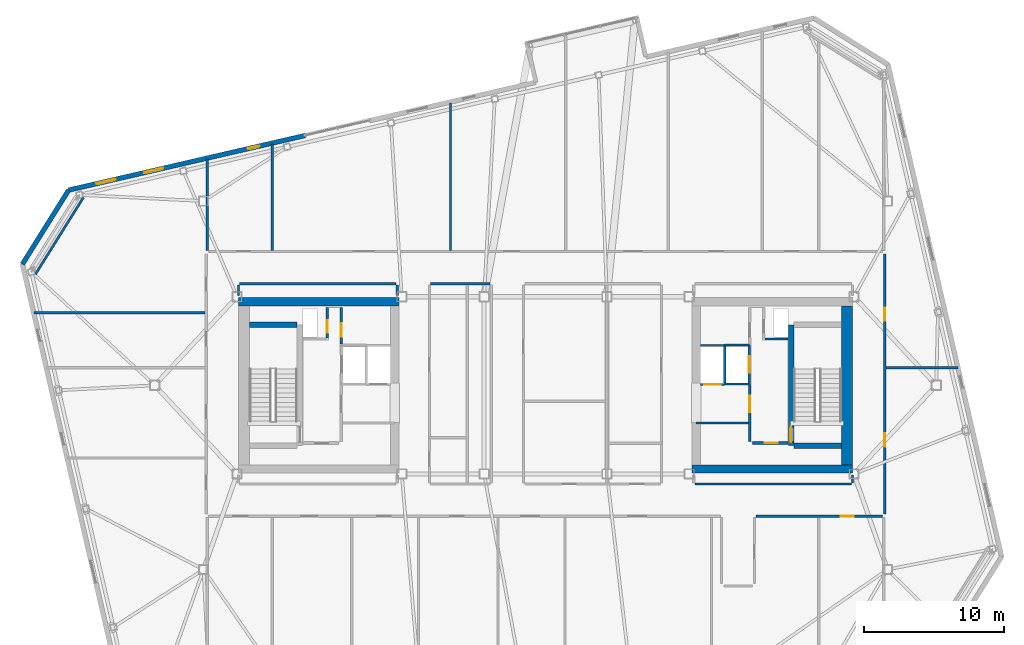
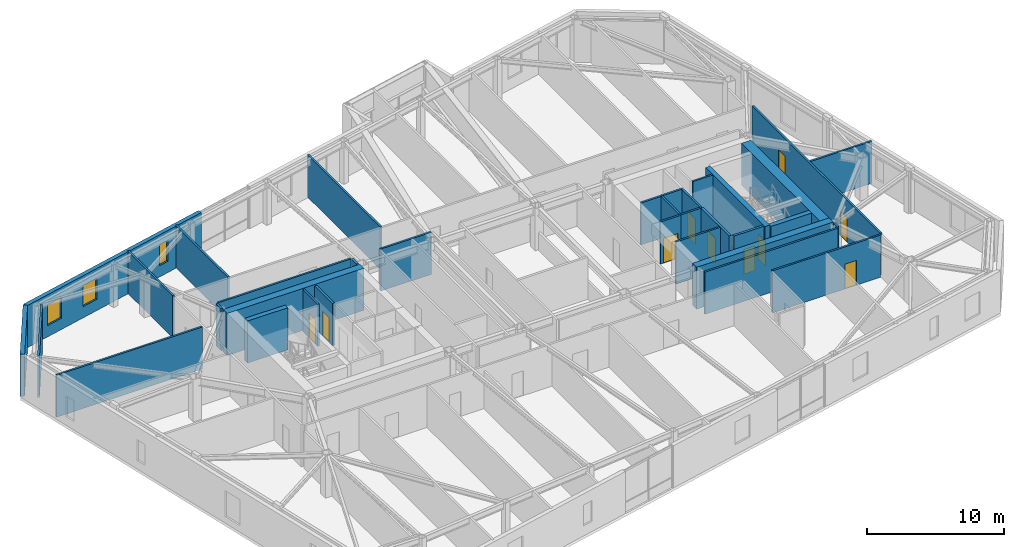
# One storey, part 19 of 24: 34 walls, 10 doors, 3 windows, 13 openings.
"""IFC4 building model written with IfcOpenShell, lengths in metres."""

from ifc_helpers import new_model, si_unit, direction, frame, frame_2d, origin, place, context, subcontext, project, spatial, rectangle, extrude, material, layer, layer_set, type_object, element, fill, save


model = new_model("IFC4")

# Units and contexts
model_context = context("Model", 3, precision=1e-05, world=origin(), true_north=direction((0.0, 1.0)))
body_context = subcontext(model_context, "Body", "Model", "MODEL_VIEW")
ifc_project = project(units=[si_unit("LENGTHUNIT", "METRE"), si_unit("AREAUNIT", "SQUARE_METRE"), si_unit("VOLUMEUNIT", "CUBIC_METRE"), si_unit("PLANEANGLEUNIT", "RADIAN"), si_unit("MASSUNIT", "GRAM", prefix="KILO")], contexts=[model_context])

# Site, building, storey
site_placement = place(None, origin())
site = spatial("IfcSite", under=ifc_project, at=site_placement, CompositionType="ELEMENT")
building_placement = place(site_placement, origin())
building = spatial("IfcBuilding", under=site, at=building_placement, Name="Tavrogorsk Clinical Tower", CompositionType="ELEMENT")
storey_placement = place(building_placement, frame((0.0, 0.0, 309.0)))
storey = spatial("IfcBuildingStorey", under=building, at=storey_placement, Name="L72", CompositionType="ELEMENT", Elevation=309.0)

# Wall, opening, door
ifc_material_1 = material(Name="Concrete B60", Category="concrete")
ifc_layer_1 = layer(ifc_material_1, 0.199951171875)
ifc_layer_set_1 = layer_set([ifc_layer_1], Name="Concrete B60")
wall_type_1 = type_object("IfcWallType", Name="CoreFireWall_200", PredefinedType="SOLIDWALL", material=ifc_layer_set_1)
wall_1_placement = place(storey_placement, frame((-14.639892578125, 2.9599609375, 0.0), z_axis=(0.0, 0.0, 1.0), x_axis=(0.0, 1.0, 0.0)))
wall_1 = element("IfcWall", 1, at=wall_1_placement, inside=storey, type_object=wall_type_1, Name="L72 Core West North Core Room East Wall", PredefinedType="SOLIDWALL", context=body_context, shape_type="SweptSolid", body=[
    extrude(rectangle(XDim=2.60009765625, YDim=0.199951171875, at=frame_2d((1.300048828125, 0.0))), origin(), (0.0, 0.0, 1.0), 3.739990234375),
])
opening_1_placement = place(wall_1_placement, frame((0.52001953125, 0.0, 0.0)))
opening_1 = element("IfcOpeningElement", 2, at=opening_1_placement, cuts=wall_1, Name="Opening ID-02", PredefinedType="OPENING", context=body_context, shape_type="SweptSolid", body=[
    extrude(rectangle(XDim=0.949951171875, YDim=2.199951171875, at=frame_2d((0.47509765625, 1.10009765625))), frame((0.0, 0.10986328125, 0.0), z_axis=(0.0, -1.0, 0.0), x_axis=(1.0, 0.0, 0.0)), (0.0, 0.0, 1.0), 0.219970703125),
])
ifc_material_2 = material(Name="Laminated timber leaf on aluminium frame", Category="wood")
door_type_1 = type_object("IfcDoorType", Name="InteriorDoor_ID02_950", OperationType="NOTDEFINED", PredefinedType="DOOR", material=ifc_material_2)
door_1_placement = place(opening_1_placement, origin())
door_1 = element("IfcDoor", 3, at=door_1_placement, inside=storey, type_object=door_type_1, Name="L72 Core West Core Telemetry Room Door", OperationType="SINGLE_SWING_LEFT", OverallHeight=2.199951171875, OverallWidth=0.949951171875, PredefinedType="DOOR", context=body_context, shape_type="SweptSolid", body=[
    extrude(rectangle(XDim=0.949951171875, YDim=2.199951171875, at=frame_2d((0.47509765625, 1.10009765625))), frame((0.0, 0.02490234375, 0.0), z_axis=(0.0, -1.0, 0.0), x_axis=(1.0, 0.0, 0.0)), (0.0, 0.0, 1.0), 0.050048828125),
])
fill(opening_1, door_1)

wall_2_placement = place(storey_placement, frame((14.824951171875, -4.139892578125, 0.0), z_axis=(0.0, 0.0, 1.0), x_axis=(1.0, 0.0, 0.0)))
wall_2 = element("IfcWall", 4, at=wall_2_placement, inside=storey, type_object=wall_type_1, Name="L72 Core East South Core Room Fire Wall", PredefinedType="SOLIDWALL", context=body_context, shape_type="SweptSolid", body=[
    extrude(rectangle(XDim=2.554931640625, YDim=0.199951171875, at=frame_2d((1.27734375, 0.0))), origin(), (0.0, 0.0, 1.0), 3.739990234375),
])
opening_2_placement = place(wall_2_placement, frame((0.8798828125, 0.0, 0.0)))
opening_2 = element("IfcOpeningElement", 5, at=opening_2_placement, cuts=wall_2, Name="Opening ID-02", PredefinedType="OPENING", context=body_context, shape_type="SweptSolid", body=[
    extrude(rectangle(XDim=0.949951171875, YDim=2.199951171875, at=frame_2d((0.47509765625, 1.10009765625))), frame((0.0, 0.10986328125, 0.0), z_axis=(0.0, -1.0, 0.0), x_axis=(1.0, 0.0, 0.0)), (0.0, 0.0, 1.0), 0.219970703125),
])
door_2_placement = place(opening_2_placement, origin())
door_2 = element("IfcDoor", 6, at=door_2_placement, inside=storey, type_object=door_type_1, Name="L72 Core East South Core Room Door", OperationType="SINGLE_SWING_RIGHT", OverallHeight=2.199951171875, OverallWidth=0.949951171875, PredefinedType="DOOR", context=body_context, shape_type="SweptSolid", body=[
    extrude(rectangle(XDim=0.949951171875, YDim=2.199951171875, at=frame_2d((0.47509765625, 1.10009765625))), frame((0.0, 0.02490234375, 0.0), z_axis=(0.0, -1.0, 0.0), x_axis=(1.0, 0.0, 0.0)), (0.0, 0.0, 1.0), 0.050048828125),
])
fill(opening_2, door_2)

wall_3_placement = place(storey_placement, frame((14.639892578125, -4.034912109375, 0.0), z_axis=(0.0, 0.0, 1.0), x_axis=(0.0, 1.0, 0.0)))
wall_3 = element("IfcWall", 7, at=wall_3_placement, inside=storey, type_object=wall_type_1, Name="L72 Core East Firefighting Lobby Fire Wall", PredefinedType="SOLIDWALL", context=body_context, shape_type="SweptSolid", body=[
    extrude(rectangle(XDim=4.074951171875, YDim=0.199951171875, at=frame_2d((2.03759765625, 0.0))), origin(), (0.0, 0.0, 1.0), 3.739990234375),
])
opening_3_placement = place(wall_3_placement, frame((2.090087890625, 0.0, 0.0)))
opening_3 = element("IfcOpeningElement", 8, at=opening_3_placement, cuts=wall_3, Name="Opening FD-01", PredefinedType="OPENING", context=body_context, shape_type="SweptSolid", body=[
    extrude(rectangle(XDim=1.199951171875, YDim=2.199951171875, at=frame_2d((0.60009765625, 1.10009765625))), frame((0.0, 0.10986328125, 0.0), z_axis=(0.0, -1.0, 0.0), x_axis=(1.0, 0.0, 0.0)), (0.0, 0.0, 1.0), 0.219970703125),
])
ifc_material_3 = material(Name="Galvanised steel fire-rated door assembly", Category="steel")
door_type_2 = type_object("IfcDoorType", Name="FireDoor_FD01_1200", OperationType="NOTDEFINED", PredefinedType="DOOR", material=ifc_material_3)
door_3_placement = place(opening_3_placement, origin())
door_3 = element("IfcDoor", 9, at=door_3_placement, inside=storey, type_object=door_type_2, Name="L72 Core East Firefighting Lobby Entry Door", OperationType="SINGLE_SWING_RIGHT", OverallHeight=2.199951171875, OverallWidth=1.199951171875, PredefinedType="DOOR", context=body_context, shape_type="SweptSolid", body=[
    extrude(rectangle(XDim=1.199951171875, YDim=2.199951171875, at=frame_2d((0.60009765625, 1.10009765625))), frame((0.0, 0.02490234375, 0.0), z_axis=(0.0, -1.0, 0.0), x_axis=(1.0, 0.0, 0.0)), (0.0, 0.0, 1.0), 0.050048828125),
])
fill(opening_3, door_3)

# Walls
ifc_material_4 = material(Name="Lightweight concrete blockwork B15", Category="masonry")
ifc_layer_2 = layer(ifc_material_4, 0.159912109375)
ifc_layer_set_2 = layer_set([ifc_layer_2], Name="Lightweight concrete blockwork B15")
wall_type_2 = type_object("IfcWallType", Name="PartitionWall_160", PredefinedType="PARTITIONING", material=ifc_layer_set_2)
wall_4_placement = place(storey_placement, frame((10.800048828125, -2.699951171875, 0.0), z_axis=(0.0, 0.0, 1.0), x_axis=(1.0, 0.0, 0.0)))
element("IfcWall", 10, at=wall_4_placement, inside=storey, type_object=wall_type_2, Name="L72 Core East Freed Mid-Bank North Partition", PredefinedType="PARTITIONING", context=body_context, shape_type="SweptSolid", body=[
    extrude(rectangle(XDim=3.73486328125, YDim=0.159912109375, at=frame_2d((1.867431640625, 0.0))), origin(), (0.0, 0.0, 1.0), 3.739990234375),
])
wall_5_placement = place(storey_placement, frame((-33.10009765625, 13.464599609375, 0.0), z_axis=(0.0, 0.0, 1.0), x_axis=(-0.529958457806, -0.848023604035, 0.0)))
element("IfcWall", 11, at=wall_5_placement, inside=storey, type_object=wall_type_2, Name="L72 Corner Exoskeleton Brace Furring Wall 3", PredefinedType="PARTITIONING", context=body_context, shape_type="SweptSolid", body=[
    extrude(rectangle(XDim=6.505126953125, YDim=0.159912109375, at=frame_2d((3.25244140625, 0.0))), origin(), (0.0, 0.0, 1.0), 3.739990234375),
])

# Wall, openings, doors
wall_6_placement = place(storey_placement, frame((24.31005859375, 9.4150390625, 0.0), z_axis=(0.0, 0.0, 1.0), x_axis=(0.0, -1.0, 0.0)))
wall_6 = element("IfcWall", 12, at=wall_6_placement, inside=storey, type_object=wall_type_2, Name="L72 Corridor Partition 03", PredefinedType="PARTITIONING", context=body_context, shape_type="SweptSolid", body=[
    extrude(rectangle(XDim=18.630126953125, YDim=0.159912109375, at=frame_2d((9.31494140625, 0.0))), origin(), (0.0, 0.0, 1.0), 3.739990234375),
])
opening_4_placement = place(wall_6_placement, frame((12.85595703125, 0.0, 0.0)))
opening_4 = element("IfcOpeningElement", 13, at=opening_4_placement, cuts=wall_6, Name="Opening ID-02", PredefinedType="OPENING", context=body_context, shape_type="SweptSolid", body=[
    extrude(rectangle(XDim=0.949951171875, YDim=2.199951171875, at=frame_2d((0.47509765625, 1.10009765625))), frame((0.0, 0.08984375, 0.0), z_axis=(0.0, -1.0, 0.0), x_axis=(1.0, 0.0, 0.0)), (0.0, 0.0, 1.0), 0.179931640625),
])
opening_5_placement = place(wall_6_placement, frame((3.843994140625, 0.0, 0.0)))
opening_5 = element("IfcOpeningElement", 14, at=opening_5_placement, cuts=wall_6, Name="Opening ID-02", PredefinedType="OPENING", context=body_context, shape_type="SweptSolid", body=[
    extrude(rectangle(XDim=0.949951171875, YDim=2.199951171875, at=frame_2d((0.47509765625, 1.10009765625))), frame((0.0, 0.08984375, 0.0), z_axis=(0.0, -1.0, 0.0), x_axis=(1.0, 0.0, 0.0)), (0.0, 0.0, 1.0), 0.179931640625),
])
door_4_placement = place(opening_4_placement, origin())
door_4 = element("IfcDoor", 15, at=door_4_placement, inside=storey, type_object=door_type_1, Name="L72 E Senior Clinician Suite 1 Door", OperationType="SINGLE_SWING_RIGHT", OverallHeight=2.199951171875, OverallWidth=0.949951171875, PredefinedType="DOOR", context=body_context, shape_type="SweptSolid", body=[
    extrude(rectangle(XDim=0.949951171875, YDim=2.199951171875, at=frame_2d((0.47509765625, 1.10009765625))), frame((0.0, 0.02490234375, 0.0), z_axis=(0.0, -1.0, 0.0), x_axis=(1.0, 0.0, 0.0)), (0.0, 0.0, 1.0), 0.050048828125),
])
fill(opening_4, door_4)
door_5_placement = place(opening_5_placement, origin())
door_5 = element("IfcDoor", 16, at=door_5_placement, inside=storey, type_object=door_type_1, Name="L72 E Multidisciplinary Seminar Suite 2 Door", OperationType="SINGLE_SWING_LEFT", OverallHeight=2.199951171875, OverallWidth=0.949951171875, PredefinedType="DOOR", context=body_context, shape_type="SweptSolid", body=[
    extrude(rectangle(XDim=0.949951171875, YDim=2.199951171875, at=frame_2d((0.47509765625, 1.10009765625))), frame((0.0, 0.02490234375, 0.0), z_axis=(0.0, -1.0, 0.0), x_axis=(1.0, 0.0, 0.0)), (0.0, 0.0, 1.0), 0.050048828125),
])
fill(opening_5, door_5)

# Wall, opening, door
wall_7_placement = place(storey_placement, frame((24.14501953125, -9.3798828125, 0.0), z_axis=(0.0, 0.0, 1.0), x_axis=(-1.0, 0.0, 0.0)))
wall_7 = element("IfcWall", 17, at=wall_7_placement, inside=storey, type_object=wall_type_2, Name="L72 Corridor Partition 04", PredefinedType="PARTITIONING", context=body_context, shape_type="SweptSolid", body=[
    extrude(rectangle(XDim=9.080078125, YDim=0.159912109375, at=frame_2d((4.5400390625, 0.0))), origin(), (0.0, 0.0, 1.0), 3.739990234375),
])
opening_6_placement = place(wall_7_placement, frame((2.044189453125, 0.0, 0.0)))
opening_6 = element("IfcOpeningElement", 18, at=opening_6_placement, cuts=wall_7, Name="Opening ID-02", PredefinedType="OPENING", context=body_context, shape_type="SweptSolid", body=[
    extrude(rectangle(XDim=0.949951171875, YDim=2.199951171875, at=frame_2d((0.47509765625, 1.10009765625))), frame((0.0, 0.08984375, 0.0), z_axis=(0.0, -1.0, 0.0), x_axis=(1.0, 0.0, 0.0)), (0.0, 0.0, 1.0), 0.179931640625),
])
door_6_placement = place(opening_6_placement, origin())
door_6 = element("IfcDoor", 19, at=door_6_placement, inside=storey, type_object=door_type_1, Name="L72 South Outpatient Procedure Suite 06 Door", OperationType="SINGLE_SWING_LEFT", OverallHeight=2.199951171875, OverallWidth=0.949951171875, PredefinedType="DOOR", context=body_context, shape_type="SweptSolid", body=[
    extrude(rectangle(XDim=0.949951171875, YDim=2.199951171875, at=frame_2d((0.47509765625, 1.10009765625))), frame((0.0, 0.02490234375, 0.0), z_axis=(0.0, -1.0, 0.0), x_axis=(1.0, 0.0, 0.0)), (0.0, 0.0, 1.0), 0.050048828125),
])
fill(opening_6, door_6)

# Walls
wall_8_placement = place(storey_placement, frame((10.715087890625, -7.070068359375, 0.0), z_axis=(0.0, 0.0, 1.0), x_axis=(1.0, 0.0, 0.0)))
element("IfcWall", 20, at=wall_8_placement, inside=storey, type_object=wall_type_2, Name="L72 Corridor Partition 12", PredefinedType="PARTITIONING", context=body_context, shape_type="SweptSolid", body=[
    extrude(rectangle(XDim=11.199951171875, YDim=0.159912109375, at=frame_2d((5.60009765625, 0.0))), origin(), (0.0, 0.0, 1.0), 3.739990234375),
])
wall_9_placement = place(storey_placement, frame((22.0, -6.985107421875, 0.0), z_axis=(0.0, 0.0, 1.0), x_axis=(0.0, 1.0, 0.0)))
element("IfcWall", 21, at=wall_9_placement, inside=storey, type_object=wall_type_2, Name="L72 Corridor Partition 13", PredefinedType="PARTITIONING", context=body_context, shape_type="SweptSolid", body=[
    extrude(rectangle(XDim=0.565185546875, YDim=0.159912109375, at=frame_2d((0.28271484375, 0.0))), origin(), (0.0, 0.0, 1.0), 3.739990234375),
])
wall_10_placement = place(storey_placement, frame((-3.965087890625, 7.27001953125, 0.0), z_axis=(0.0, 0.0, 1.0), x_axis=(-1.0, 0.0, 0.0)))
element("IfcWall", 22, at=wall_10_placement, inside=storey, type_object=wall_type_2, Name="L72 Corridor Partition 20", PredefinedType="PARTITIONING", context=body_context, shape_type="SweptSolid", body=[
    extrude(rectangle(XDim=4.27001953125, YDim=0.159912109375, at=frame_2d((2.135009765625, 0.0))), origin(), (0.0, 0.0, 1.0), 3.739990234375),
])
wall_11_placement = place(storey_placement, frame((-10.6298828125, 6.419921875, 0.0), z_axis=(0.0, 0.0, 1.0), x_axis=(0.0, 1.0, 0.0)))
element("IfcWall", 23, at=wall_11_placement, inside=storey, type_object=wall_type_2, Name="L72 Corridor Partition 24", PredefinedType="PARTITIONING", context=body_context, shape_type="SweptSolid", body=[
    extrude(rectangle(XDim=0.76513671875, YDim=0.159912109375, at=frame_2d((0.382568359375, 0.0))), origin(), (0.0, 0.0, 1.0), 3.739990234375),
])
wall_12_placement = place(storey_placement, frame((-10.715087890625, 7.27001953125, 0.0), z_axis=(0.0, 0.0, 1.0), x_axis=(-1.0, 0.0, 0.0)))
element("IfcWall", 24, at=wall_12_placement, inside=storey, type_object=wall_type_2, Name="L72 Corridor Partition 25", PredefinedType="PARTITIONING", context=body_context, shape_type="SweptSolid", body=[
    extrude(rectangle(XDim=11.199951171875, YDim=0.159912109375, at=frame_2d((5.60009765625, 0.0))), origin(), (0.0, 0.0, 1.0), 3.739990234375),
])
wall_13_placement = place(storey_placement, frame((-22.0, 7.18505859375, 0.0), z_axis=(0.0, 0.0, 1.0), x_axis=(0.0, -1.0, 0.0)))
element("IfcWall", 25, at=wall_13_placement, inside=storey, type_object=wall_type_2, Name="L72 Corridor Partition 26", PredefinedType="PARTITIONING", context=body_context, shape_type="SweptSolid", body=[
    extrude(rectangle(XDim=0.76513671875, YDim=0.159912109375, at=frame_2d((0.382568359375, 0.0))), origin(), (0.0, 0.0, 1.0), 3.739990234375),
])
wall_14_placement = place(storey_placement, frame((-24.22998046875, 9.6650390625, 0.0), z_axis=(0.0, 0.0, 1.0), x_axis=(0.0, 1.0, 0.0)))
element("IfcWall", 26, at=wall_14_placement, inside=storey, type_object=wall_type_2, Name="L72 NW Wing Closure Partition", PredefinedType="PARTITIONING", context=body_context, shape_type="SweptSolid", body=[
    extrude(rectangle(XDim=6.5458984375, YDim=0.159912109375, at=frame_2d((3.27294921875, 0.0))), origin(), (0.0, 0.0, 1.0), 3.739990234375),
])
wall_15_placement = place(storey_placement, frame((-19.580078125, 9.6650390625, 0.0), z_axis=(0.0, 0.0, 1.0), x_axis=(0.0, 1.0, 0.0)))
element("IfcWall", 27, at=wall_15_placement, inside=storey, type_object=wall_type_2, Name="L72 North Room Partition 1", PredefinedType="PARTITIONING", context=body_context, shape_type="SweptSolid", body=[
    extrude(rectangle(XDim=7.619384765625, YDim=0.159912109375, at=frame_2d((3.8095703125, 0.0))), origin(), (0.0, 0.0, 1.0), 3.739990234375),
])
wall_16_placement = place(storey_placement, frame((-6.800048828125, 9.6650390625, 0.0), z_axis=(0.0, 0.0, 1.0), x_axis=(0.0, 1.0, 0.0)))
element("IfcWall", 28, at=wall_16_placement, inside=storey, type_object=wall_type_2, Name="L72 North Room Partition 2", PredefinedType="PARTITIONING", context=body_context, shape_type="SweptSolid", body=[
    extrude(rectangle(XDim=10.570068359375, YDim=0.159912109375, at=frame_2d((5.28515625, 0.0))), origin(), (0.0, 0.0, 1.0), 3.739990234375),
])
wall_17_placement = place(storey_placement, frame((-36.662841796875, 5.199951171875, 0.0), z_axis=(0.0, 0.0, 1.0), x_axis=(1.0, 0.0, 0.0)))
element("IfcWall", 29, at=wall_17_placement, inside=storey, type_object=wall_type_2, Name="L72 W Wing Divider 3", PredefinedType="PARTITIONING", context=body_context, shape_type="SweptSolid", body=[
    extrude(rectangle(XDim=12.267822265625, YDim=0.159912109375, at=frame_2d((6.1337890625, 0.0))), origin(), (0.0, 0.0, 1.0), 3.739990234375),
])
wall_18_placement = place(storey_placement, frame((24.39501953125, 1.25, 0.0), z_axis=(0.0, 0.0, 1.0), x_axis=(1.0, 0.0, 0.0)))
element("IfcWall", 30, at=wall_18_placement, inside=storey, type_object=wall_type_2, Name="L72 E Wing Divider 1", PredefinedType="PARTITIONING", context=body_context, shape_type="SweptSolid", body=[
    extrude(rectangle(XDim=5.1474609375, YDim=0.159912109375, at=frame_2d((2.57373046875, 0.0))), origin(), (0.0, 0.0, 1.0), 3.739990234375),
])

# Wall, openings, windows
ifc_material_5 = material(Name="Precast concrete B45 with limestone cladding", Category="masonry")
ifc_layer_3 = layer(ifc_material_5, 0.340087890625)
ifc_layer_set_3 = layer_set([ifc_layer_3], Name="Precast concrete B45 with limestone cladding")
wall_type_3 = type_object("IfcWallType", Name="PrecastLimestoneWall_340", PredefinedType="STANDARD", material=ifc_layer_set_3)
wall_19_placement = place(storey_placement, frame((-17.2451171875, 17.895263671875, 0.0), z_axis=(0.0, 0.0, 1.0), x_axis=(-0.97437318493, -0.224937539085, 0.0)))
wall_19 = element("IfcWall", 31, at=wall_19_placement, inside=storey, type_object=wall_type_3, Name="L72 N Limestone Facade Wall 3", PredefinedType="STANDARD", context=body_context, shape_type="SweptSolid", body=[
    extrude(rectangle(XDim=17.365966796875, YDim=0.340087890625, at=frame_2d((8.68310546875, 0.0))), origin(), (0.0, 0.0, 1.0), 3.739990234375),
])
opening_7_placement = place(wall_19_placement, frame((13.924560546875, 0.0, 1.0)))
opening_7 = element("IfcOpeningElement", 32, at=opening_7_placement, cuts=wall_19, Name="Opening WN-17", PredefinedType="OPENING", context=body_context, shape_type="SweptSolid", body=[
    extrude(rectangle(XDim=1.39990234375, YDim=1.85009765625, at=frame_2d((0.699951171875, 0.925048828125))), frame((0.0, 0.179931640625, 0.0), z_axis=(0.0, -1.0, 0.0), x_axis=(1.0, 0.0, 0.0)), (0.0, 0.0, 1.0), 0.360107421875),
])
opening_8_placement = place(wall_19_placement, frame((10.412841796875, 0.0, 1.0)))
opening_8 = element("IfcOpeningElement", 33, at=opening_8_placement, cuts=wall_19, Name="Opening WN-17", PredefinedType="OPENING", context=body_context, shape_type="SweptSolid", body=[
    extrude(rectangle(XDim=1.39990234375, YDim=1.85009765625, at=frame_2d((0.699951171875, 0.925048828125))), frame((0.0, 0.179931640625, 0.0), z_axis=(0.0, -1.0, 0.0), x_axis=(1.0, 0.0, 0.0)), (0.0, 0.0, 1.0), 0.360107421875),
])
opening_9_placement = place(wall_19_placement, frame((3.32861328125, 0.0, 1.0)))
opening_9 = element("IfcOpeningElement", 34, at=opening_9_placement, cuts=wall_19, Name="Opening WN-06", PredefinedType="OPENING", context=body_context, shape_type="SweptSolid", body=[
    extrude(rectangle(XDim=0.85009765625, YDim=1.85009765625, at=frame_2d((0.425048828125, 0.925048828125))), frame((0.0, 0.179931640625, 0.0), z_axis=(0.0, -1.0, 0.0), x_axis=(1.0, 0.0, 0.0)), (0.0, 0.0, 1.0), 0.360107421875),
])
ifc_material_6 = material(Name="Thermally broken aluminium frame and triple IGU", Category="aluminium")
window_type_1 = type_object("IfcWindowType", Name="MullionSubWin_850x1850", PartitioningType="SINGLE_PANEL", PredefinedType="WINDOW", material=ifc_material_6)
window_1_placement = place(opening_9_placement, origin())
window_1 = element("IfcWindow", 35, at=window_1_placement, inside=storey, type_object=window_type_1, Name="L72 N Mullion Split Window 04B", OverallHeight=1.85009765625, OverallWidth=0.85009765625, PartitioningType="SINGLE_PANEL", PredefinedType="WINDOW", context=body_context, shape_type="SweptSolid", body=[
    extrude(rectangle(XDim=0.85009765625, YDim=1.85009765625, at=frame_2d((0.425048828125, 0.925048828125))), frame((0.0, 0.030029296875, 0.0), z_axis=(0.0, -1.0, 0.0), x_axis=(1.0, 0.0, 0.0)), (0.0, 0.0, 1.0), 0.06005859375),
])
fill(opening_9, window_1)
ifc_material_7 = material(Name="Thermally broken aluminium frame and triple IGU", Category="aluminium")
window_type_2 = type_object("IfcWindowType", Name="TelemetryWin_1400x1850", PartitioningType="SINGLE_PANEL", PredefinedType="WINDOW", material=ifc_material_7)
window_2_placement = place(opening_7_placement, origin())
window_2 = element("IfcWindow", 36, at=window_2_placement, inside=storey, type_object=window_type_2, Name="L72 N Chicago Window 01", OverallHeight=1.85009765625, OverallWidth=1.39990234375, PartitioningType="SINGLE_PANEL", PredefinedType="WINDOW", context=body_context, shape_type="SweptSolid", body=[
    extrude(rectangle(XDim=1.39990234375, YDim=1.85009765625, at=frame_2d((0.699951171875, 0.925048828125))), frame((0.0, 0.030029296875, 0.0), z_axis=(0.0, -1.0, 0.0), x_axis=(1.0, 0.0, 0.0)), (0.0, 0.0, 1.0), 0.06005859375),
])
fill(opening_7, window_2)
window_3_placement = place(opening_8_placement, origin())
window_3 = element("IfcWindow", 37, at=window_3_placement, inside=storey, type_object=window_type_2, Name="L72 N Chicago Window 02", OverallHeight=1.85009765625, OverallWidth=1.39990234375, PartitioningType="SINGLE_PANEL", PredefinedType="WINDOW", context=body_context, shape_type="SweptSolid", body=[
    extrude(rectangle(XDim=1.39990234375, YDim=1.85009765625, at=frame_2d((0.699951171875, 0.925048828125))), frame((0.0, 0.030029296875, 0.0), z_axis=(0.0, -1.0, 0.0), x_axis=(1.0, 0.0, 0.0)), (0.0, 0.0, 1.0), 0.06005859375),
])
fill(opening_8, window_3)

# Wall
wall_20_placement = place(storey_placement, frame((-34.165771484375, 13.989013671875, 0.0), z_axis=(0.0, 0.0, 1.0), x_axis=(-0.529935887993, -0.848037708252, 0.0)))
element("IfcWall", 38, at=wall_20_placement, inside=storey, type_object=wall_type_3, Name="L72 Chamfered Corner Wall 3", PredefinedType="STANDARD", context=body_context, shape_type="SweptSolid", body=[
    extrude(rectangle(XDim=6.26513671875, YDim=0.340087890625, at=frame_2d((3.132568359375, 0.0))), origin(), (0.0, 0.0, 1.0), 3.739990234375),
])

# Wall, opening, door
ifc_material_8 = material(Name="Lightweight concrete blockwork B25", Category="masonry")
ifc_layer_4 = layer(ifc_material_8, 0.159912109375)
ifc_layer_set_4 = layer_set([ifc_layer_4], Name="Lightweight concrete blockwork B25")
wall_type_4 = type_object("IfcWallType", Name="ShaftWall_160", PredefinedType="PARTITIONING", material=ifc_layer_set_4)
wall_21_placement = place(storey_placement, frame((14.60009765625, 0.1201171875, 0.0), z_axis=(0.0, 0.0, 1.0), x_axis=(0.0, 1.0, 0.0)))
wall_21 = element("IfcWall", 39, at=wall_21_placement, inside=storey, type_object=wall_type_4, Name="L72 FFL-E Firefighting Lift Front Wall", PredefinedType="PARTITIONING", context=body_context, shape_type="SweptSolid", body=[
    extrude(rectangle(XDim=2.739990234375, YDim=0.159912109375, at=frame_2d((1.3701171875, 0.0))), origin(), (0.0, 0.0, 1.0), 3.739990234375),
])
opening_10_placement = place(wall_21_placement, frame((0.77001953125, 0.0, 0.0)))
opening_10 = element("IfcOpeningElement", 40, at=opening_10_placement, cuts=wall_21, Name="Opening LD", PredefinedType="OPENING", context=body_context, shape_type="SweptSolid", body=[
    extrude(rectangle(XDim=1.199951171875, YDim=2.199951171875, at=frame_2d((0.60009765625, 1.10009765625))), frame((0.0, 0.08984375, 0.0), z_axis=(0.0, -1.0, 0.0), x_axis=(1.0, 0.0, 0.0)), (0.0, 0.0, 1.0), 0.179931640625),
])
ifc_material_9 = material(Name="Brushed stainless steel AISI 304 sliding doors", Category="steel")
door_type_3 = type_object("IfcDoorType", Name="LiftLandingDoor_LD_1200", OperationType="SLIDING_TO_LEFT", PredefinedType="DOOR", material=ifc_material_9)
door_7_placement = place(opening_10_placement, origin())
door_7 = element("IfcDoor", 41, at=door_7_placement, inside=storey, type_object=door_type_3, Name="L72 FFL-E Sliding Lift Landing Door", OperationType="SLIDING_TO_LEFT", OverallHeight=2.199951171875, OverallWidth=1.199951171875, PredefinedType="DOOR", context=body_context, shape_type="SweptSolid", body=[
    extrude(rectangle(XDim=1.199951171875, YDim=2.199951171875, at=frame_2d((0.60009765625, 1.10009765625))), frame((0.0, 0.02490234375, 0.0), z_axis=(0.0, -1.0, 0.0), x_axis=(1.0, 0.0, 0.0)), (0.0, 0.0, 1.0), 0.050048828125),
])
fill(opening_10, door_7)

# Walls
for number, where, z_axis, x_axis, name in (
    (42, (12.840087890625, 0.10009765625, 0.0), (0.0, 0.0, 1.0), (1.0, 0.0, 0.0), "L72 FFL-E Shaft South Wall"),
    (43, (12.840087890625, 2.8798828125, 0.0), (0.0, 0.0, 1.0), (1.0, 0.0, 0.0), "L72 FFL-E Shaft North Wall"),
):
    element("IfcWall", number, at=place(storey_placement, frame(where, z_axis=z_axis, x_axis=x_axis)), inside=storey, type_object=wall_type_4, Name=name, PredefinedType="PARTITIONING", context=body_context, shape_type="SweptSolid", body=[
        extrude(rectangle(XDim=1.760009765625, YDim=0.159912109375, at=frame_2d((0.8798828125, 0.0))), origin(), (0.0, 0.0, 1.0), 3.739990234375),
    ])
wall_22_placement = place(storey_placement, frame((12.840087890625, 0.179931640625, 0.0), z_axis=(0.0, 0.0, 1.0), x_axis=(0.0, 1.0, 0.0)))
element("IfcWall", 44, at=wall_22_placement, inside=storey, type_object=wall_type_4, Name="L72 FFL-E Shaft Back Wall", PredefinedType="PARTITIONING", context=body_context, shape_type="SweptSolid", body=[
    extrude(rectangle(XDim=2.6201171875, YDim=0.159912109375, at=frame_2d((1.31005859375, 0.0))), origin(), (0.0, 0.0, 1.0), 3.739990234375),
])

# Wall, opening, door
wall_23_placement = place(storey_placement, frame((11.10009765625, 0.06005859375, 0.0), z_axis=(0.0, 0.0, 1.0), x_axis=(1.0, 0.0, 0.0)))
wall_23 = element("IfcWall", 45, at=wall_23_placement, inside=storey, type_object=wall_type_4, Name="L72 LP-H2 High-Zone Lift Portal Wall", PredefinedType="PARTITIONING", context=body_context, shape_type="SweptSolid", body=[
    extrude(rectangle(XDim=1.719970703125, YDim=0.159912109375, at=frame_2d((0.85986328125, 0.0))), origin(), (0.0, 0.0, 1.0), 3.739990234375),
])
opening_11_placement = place(wall_23_placement, frame((0.260009765625, 0.0, 0.0)))
opening_11 = element("IfcOpeningElement", 46, at=opening_11_placement, cuts=wall_23, Name="Opening LD", PredefinedType="OPENING", context=body_context, shape_type="SweptSolid", body=[
    extrude(rectangle(XDim=1.199951171875, YDim=2.199951171875, at=frame_2d((0.60009765625, 1.10009765625))), frame((0.0, 0.08984375, 0.0), z_axis=(0.0, -1.0, 0.0), x_axis=(1.0, 0.0, 0.0)), (0.0, 0.0, 1.0), 0.179931640625),
])
door_8_placement = place(opening_11_placement, origin())
door_8 = element("IfcDoor", 47, at=door_8_placement, inside=storey, type_object=door_type_3, Name="L72 LP-H2 Sliding Lift Landing Door", OperationType="SLIDING_TO_LEFT", OverallHeight=2.199951171875, OverallWidth=1.199951171875, PredefinedType="DOOR", context=body_context, shape_type="SweptSolid", body=[
    extrude(rectangle(XDim=1.199951171875, YDim=2.199951171875, at=frame_2d((0.60009765625, 1.10009765625))), frame((0.0, 0.02490234375, 0.0), z_axis=(0.0, -1.0, 0.0), x_axis=(1.0, 0.0, 0.0)), (0.0, 0.0, 1.0), 0.050048828125),
])
fill(opening_11, door_8)

# Wall
wall_24_placement = place(storey_placement, frame((11.10009765625, 2.860107421875, 0.0), z_axis=(0.0, 0.0, 1.0), x_axis=(1.0, 0.0, 0.0)))
element("IfcWall", 48, at=wall_24_placement, inside=storey, type_object=wall_type_4, Name="L72 LP-H2 High-Zone Lift Rear Wall", PredefinedType="PARTITIONING", context=body_context, shape_type="SweptSolid", body=[
    extrude(rectangle(XDim=1.719970703125, YDim=0.159912109375, at=frame_2d((0.85986328125, 0.0))), origin(), (0.0, 0.0, 1.0), 3.739990234375),
])

# Wall, opening, door
wall_25_placement = place(storey_placement, frame((-15.639892578125, 3.405029296875, 0.0), z_axis=(0.0, 0.0, 1.0), x_axis=(0.0, 1.0, 0.0)))
wall_25 = element("IfcWall", 49, at=wall_25_placement, inside=storey, type_object=wall_type_4, Name="L72 Core West Riser West Wall", PredefinedType="PARTITIONING", context=body_context, shape_type="SweptSolid", body=[
    extrude(rectangle(XDim=2.155029296875, YDim=0.159912109375, at=frame_2d((1.07763671875, 0.0))), origin(), (0.0, 0.0, 1.0), 3.739990234375),
])
opening_12_placement = place(wall_25_placement, frame((0.35009765625, 0.0, 0.0)))
opening_12 = element("IfcOpeningElement", 50, at=opening_12_placement, cuts=wall_25, Name="Opening FD-02", PredefinedType="OPENING", context=body_context, shape_type="SweptSolid", body=[
    extrude(rectangle(XDim=0.89990234375, YDim=2.199951171875, at=frame_2d((0.449951171875, 1.10009765625))), frame((0.0, 0.08984375, 0.0), z_axis=(0.0, -1.0, 0.0), x_axis=(1.0, 0.0, 0.0)), (0.0, 0.0, 1.0), 0.179931640625),
])
ifc_material_10 = material(Name="Galvanised steel fire-rated door assembly", Category="steel")
door_type_4 = type_object("IfcDoorType", Name="FireDoor_FD02_900", OperationType="NOTDEFINED", PredefinedType="DOOR", material=ifc_material_10)
door_9_placement = place(opening_12_placement, origin())
door_9 = element("IfcDoor", 51, at=door_9_placement, inside=storey, type_object=door_type_4, Name="L72 Core West Electrical Riser Access Door", OperationType="SINGLE_SWING_LEFT", OverallHeight=2.199951171875, OverallWidth=0.89990234375, PredefinedType="DOOR", context=body_context, shape_type="SweptSolid", body=[
    extrude(rectangle(XDim=0.89990234375, YDim=2.199951171875, at=frame_2d((0.449951171875, 1.10009765625))), frame((0.0, 0.02490234375, 0.0), z_axis=(0.0, -1.0, 0.0), x_axis=(1.0, 0.0, 0.0)), (0.0, 0.0, 1.0), 0.050048828125),
])
fill(opening_12, door_9)

# Walls
wall_26_placement = place(storey_placement, frame((15.72509765625, 3.320068359375, 0.0), z_axis=(0.0, 0.0, 1.0), x_axis=(1.0, 0.0, 0.0)))
element("IfcWall", 52, at=wall_26_placement, inside=storey, type_object=wall_type_4, Name="L72 Core East Riser South Wall", PredefinedType="PARTITIONING", context=body_context, shape_type="SweptSolid", body=[
    extrude(rectangle(XDim=1.65478515625, YDim=0.159912109375, at=frame_2d((0.827392578125, 0.0))), origin(), (0.0, 0.0, 1.0), 3.739990234375),
])
ifc_material_11 = material(Name="Concrete B80", Category="concrete")
ifc_layer_5 = layer(ifc_material_11, 0.39990234375)
ifc_layer_set_5 = layer_set([ifc_layer_5], Name="Concrete B80")
wall_type_5 = type_object("IfcWallType", Name="ShearWall_400", PredefinedType="SHEAR", material=ifc_layer_set_5)
wall_27_placement = place(storey_placement, frame((-21.199951171875, 4.324951171875, 0.0), z_axis=(0.0, 0.0, 1.0), x_axis=(1.0, 0.0, 0.0)))
element("IfcWall", 53, at=wall_27_placement, inside=storey, type_object=wall_type_5, Name="L72 Core West Stair Shaft North Shear Wall", PredefinedType="SHEAR", context=body_context, shape_type="SweptSolid", body=[
    extrude(rectangle(XDim=3.39990234375, YDim=0.39990234375, at=frame_2d((1.699951171875, 0.0))), origin(), (0.0, 0.0, 1.0), 3.739990234375),
])

# Wall, opening, door
wall_28_placement = place(storey_placement, frame((17.60009765625, -4.324951171875, 0.0), z_axis=(0.0, 0.0, 1.0), x_axis=(0.0, 1.0, 0.0)))
wall_28 = element("IfcWall", 54, at=wall_28_placement, inside=storey, type_object=wall_type_5, Name="L72 Core East Stair Shaft Inner Shear Wall", PredefinedType="SHEAR", context=body_context, shape_type="SweptSolid", body=[
    extrude(rectangle(XDim=8.64990234375, YDim=0.39990234375, at=frame_2d((4.324951171875, 0.0))), origin(), (0.0, 0.0, 1.0), 3.739990234375),
])
opening_13_placement = place(wall_28_placement, frame((0.25, 0.0, 0.0)))
opening_13 = element("IfcOpeningElement", 55, at=opening_13_placement, cuts=wall_28, Name="Opening SD-01", PredefinedType="OPENING", context=body_context, shape_type="SweptSolid", body=[
    extrude(rectangle(XDim=1.10009765625, YDim=2.199951171875, at=frame_2d((0.550048828125, 1.10009765625))), frame((0.0, 0.2099609375, 0.0), z_axis=(0.0, -1.0, 0.0), x_axis=(1.0, 0.0, 0.0)), (0.0, 0.0, 1.0), 0.419921875),
])
ifc_material_12 = material(Name="Galvanised steel smoke-tight fire door assembly", Category="steel")
door_type_5 = type_object("IfcDoorType", Name="StairFireDoor_SD01_1100", OperationType="NOTDEFINED", PredefinedType="DOOR", material=ifc_material_12)
door_10_placement = place(opening_13_placement, origin())
door_10 = element("IfcDoor", 56, at=door_10_placement, inside=storey, type_object=door_type_5, Name="L72 ST-E Exit Stair Door", OperationType="SINGLE_SWING_RIGHT", OverallHeight=2.199951171875, OverallWidth=1.10009765625, PredefinedType="DOOR", context=body_context, shape_type="SweptSolid", body=[
    extrude(rectangle(XDim=1.10009765625, YDim=2.199951171875, at=frame_2d((0.550048828125, 1.10009765625))), frame((0.0, 0.02490234375, 0.0), z_axis=(0.0, -1.0, 0.0), x_axis=(1.0, 0.0, 0.0)), (0.0, 0.0, 1.0), 0.050048828125),
])
fill(opening_13, door_10)

# Walls
wall_29_placement = place(storey_placement, frame((17.800048828125, -4.324951171875, 0.0), z_axis=(0.0, 0.0, 1.0), x_axis=(1.0, 0.0, 0.0)))
element("IfcWall", 57, at=wall_29_placement, inside=storey, type_object=wall_type_5, Name="L72 Core East Stair Shaft South Shear Wall", PredefinedType="SHEAR", context=body_context, shape_type="SweptSolid", body=[
    extrude(rectangle(XDim=3.39990234375, YDim=0.39990234375, at=frame_2d((1.699951171875, 0.0))), origin(), (0.0, 0.0, 1.0), 3.739990234375),
])
ifc_material_13 = material(Name="Concrete B80", Category="concrete")
ifc_layer_6 = layer(ifc_material_13, 0.60009765625)
ifc_layer_set_6 = layer_set([ifc_layer_6], Name="Concrete B80")
wall_type_6 = type_object("IfcWallType", Name="ShearWall_600", PredefinedType="SHEAR", material=ifc_layer_set_6)
for number, where, z_axis, x_axis, name in (
    (58, (-22.0, 6.0, 0.0), (0.0, 0.0, 1.0), (1.0, 0.0, 0.0), "L72 Core West North Shear Wall"),
    (59, (10.5, -6.0, 0.0), (0.0, 0.0, 1.0), (1.0, 0.0, 0.0), "L72 Core East South Shear Wall"),
):
    element("IfcWall", number, at=place(storey_placement, frame(where, z_axis=z_axis, x_axis=x_axis)), inside=storey, type_object=wall_type_6, Name=name, PredefinedType="SHEAR", context=body_context, shape_type="SweptSolid", body=[
        extrude(rectangle(XDim=11.5, YDim=0.60009765625, at=frame_2d((5.75, 0.0))), origin(), (0.0, 0.0, 1.0), 3.739990234375),
    ])
ifc_material_14 = material(Name="Concrete B80", Category="concrete")
ifc_layer_7 = layer(ifc_material_14, 0.800048828125)
ifc_layer_set_7 = layer_set([ifc_layer_7], Name="Concrete B80")
wall_type_7 = type_object("IfcWallType", Name="ShearWall_800", PredefinedType="SHEAR", material=ifc_layer_set_7)
wall_30_placement = place(storey_placement, frame((21.60009765625, -5.699951171875, 0.0), z_axis=(0.0, 0.0, 1.0), x_axis=(0.0, 1.0, 0.0)))
element("IfcWall", 60, at=wall_30_placement, inside=storey, type_object=wall_type_7, Name="L72 Core East End Shear Wall", PredefinedType="SHEAR", context=body_context, shape_type="SweptSolid", body=[
    extrude(rectangle(XDim=11.39990234375, YDim=0.800048828125, at=frame_2d((5.699951171875, 0.0))), origin(), (0.0, 0.0, 1.0), 3.739990234375),
])

save(model, "model.ifc")
